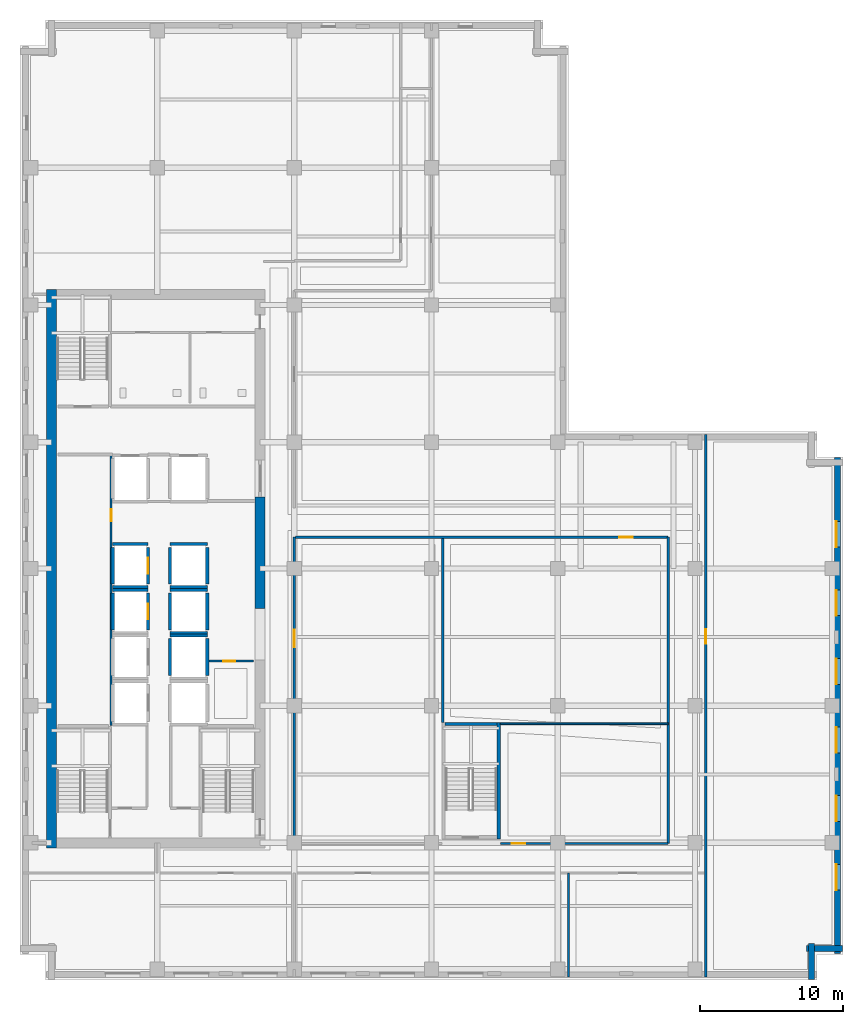
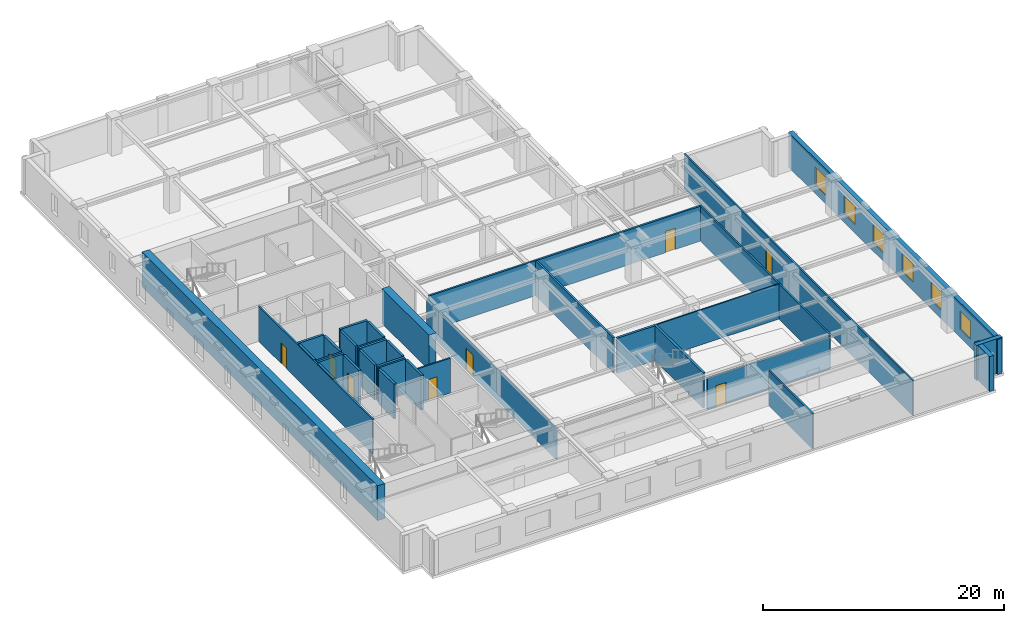
# One storey, part 5 of 12: 35 walls, 8 doors, 6 windows, 14 openings.
"""IFC4 building model written with IfcOpenShell, lengths in metres."""

from ifc_helpers import new_model, si_unit, direction, frame, frame_2d, origin, place, context, subcontext, project, spatial, rectangle, extrude, material, layer, layer_set, type_object, element, fill, save


model = new_model("IFC4")

# Units and contexts
model_context = context("Model", 3, precision=1e-05, world=origin(), true_north=direction((0.0, 1.0)))
body_context = subcontext(model_context, "Body", "Model", "MODEL_VIEW")
ifc_project = project(units=[si_unit("LENGTHUNIT", "METRE"), si_unit("AREAUNIT", "SQUARE_METRE"), si_unit("VOLUMEUNIT", "CUBIC_METRE"), si_unit("PLANEANGLEUNIT", "RADIAN"), si_unit("MASSUNIT", "GRAM", prefix="KILO")], contexts=[model_context])

# Site, building, storey
site_placement = place(None, origin())
site = spatial("IfcSite", under=ifc_project, at=site_placement, CompositionType="ELEMENT")
building_placement = place(site_placement, origin())
building = spatial("IfcBuilding", under=site, at=building_placement, Name="Norrvale University Quadrangle", CompositionType="ELEMENT")
storey_placement = place(building_placement, frame((0.0, 0.0, 109.0)))
storey = spatial("IfcBuildingStorey", under=building, at=storey_placement, Name="L27", CompositionType="ELEMENT", Elevation=109.0)

# Walls
ifc_material_1 = material(Name="Buff Norman Clay Brick Masonry", Category="masonry")
ifc_layer_1 = layer(ifc_material_1, 0.419921875, Name="Buff Norman Clay Brick Masonry")
ifc_layer_set_1 = layer_set([ifc_layer_1], Name="Buff Norman Clay Brick Masonry")
wall_type_1 = type_object("IfcWallType", Name="Wall Buff Brick 420", PredefinedType="SOLIDWALL", material=ifc_layer_set_1)
for number, where, z_axis, x_axis, name in (
    (1, (55.409912109375, 0.0400390625, 0.0), (0.0, 0.0, 1.0), (0.0, 1.0, 0.0), "Exterior Brick Facade Wall L27-02.1"),
    (2, (55.06005859375, 2.18994140625, 0.0), (0.0, 0.0, 1.0), (1.0, 0.0, 0.0), "Exterior Brick Facade Wall L27-03.1"),
):
    element("IfcWall", number, at=place(storey_placement, frame(where, z_axis=z_axis, x_axis=x_axis)), inside=storey, type_object=wall_type_1, Name=name, PredefinedType="SOLIDWALL", context=body_context, shape_type="SweptSolid", body=[
        extrude(rectangle(XDim=2.5, YDim=0.419921875, at=frame_2d((1.25, 0.0))), origin(), (0.0, 0.0, 1.0), 3.5400390625),
    ])

# Wall, openings, windows
wall_1_placement = place(storey_placement, frame((57.2099609375, 1.840087890625, 0.0), z_axis=(0.0, 0.0, 1.0), x_axis=(0.0, 1.0, 0.0)))
wall_1 = element("IfcWall", 3, at=wall_1_placement, inside=storey, type_object=wall_type_1, Name="Exterior Brick Facade Wall L27-04.1", PredefinedType="SOLIDWALL", context=body_context, shape_type="SweptSolid", body=[
    extrude(rectangle(XDim=34.719970703125, YDim=0.419921875, at=frame_2d((17.35986328125, 0.0))), origin(), (0.0, 0.0, 1.0), 3.5400390625),
])
opening_1_placement = place(wall_1_placement, frame((4.4599609375, 0.0, 0.85009765625)))
opening_1 = element("IfcOpeningElement", 4, at=opening_1_placement, cuts=wall_1, Name="Opening W01", PredefinedType="OPENING", context=body_context, shape_type="SweptSolid", body=[
    extrude(rectangle(XDim=1.800048828125, YDim=1.85009765625, at=frame_2d((0.89990234375, 0.925048828125))), frame((0.0, 0.221923828125, 0.0), z_axis=(0.0, -1.0, 0.0), x_axis=(1.0, 0.0, 0.0)), (0.0, 0.0, 1.0), 0.44384765625),
])
opening_2_placement = place(wall_1_placement, frame((9.260009765625, 0.0, 0.85009765625)))
opening_2 = element("IfcOpeningElement", 5, at=opening_2_placement, cuts=wall_1, Name="Opening W01", PredefinedType="OPENING", context=body_context, shape_type="SweptSolid", body=[
    extrude(rectangle(XDim=1.800048828125, YDim=1.85009765625, at=frame_2d((0.89990234375, 0.925048828125))), frame((0.0, 0.221923828125, 0.0), z_axis=(0.0, -1.0, 0.0), x_axis=(1.0, 0.0, 0.0)), (0.0, 0.0, 1.0), 0.44384765625),
])
opening_3_placement = place(wall_1_placement, frame((14.06005859375, 0.0, 0.85009765625)))
opening_3 = element("IfcOpeningElement", 6, at=opening_3_placement, cuts=wall_1, Name="Opening W01", PredefinedType="OPENING", context=body_context, shape_type="SweptSolid", body=[
    extrude(rectangle(XDim=1.800048828125, YDim=1.85009765625, at=frame_2d((0.89990234375, 0.925048828125))), frame((0.0, 0.221923828125, 0.0), z_axis=(0.0, -1.0, 0.0), x_axis=(1.0, 0.0, 0.0)), (0.0, 0.0, 1.0), 0.44384765625),
])
opening_4_placement = place(wall_1_placement, frame((18.860107421875, 0.0, 0.85009765625)))
opening_4 = element("IfcOpeningElement", 7, at=opening_4_placement, cuts=wall_1, Name="Opening W01", PredefinedType="OPENING", context=body_context, shape_type="SweptSolid", body=[
    extrude(rectangle(XDim=1.800048828125, YDim=1.85009765625, at=frame_2d((0.89990234375, 0.925048828125))), frame((0.0, 0.221923828125, 0.0), z_axis=(0.0, -1.0, 0.0), x_axis=(1.0, 0.0, 0.0)), (0.0, 0.0, 1.0), 0.44384765625),
])
opening_5_placement = place(wall_1_placement, frame((23.659912109375, 0.0, 0.85009765625)))
opening_5 = element("IfcOpeningElement", 8, at=opening_5_placement, cuts=wall_1, Name="Opening W01", PredefinedType="OPENING", context=body_context, shape_type="SweptSolid", body=[
    extrude(rectangle(XDim=1.800048828125, YDim=1.85009765625, at=frame_2d((0.89990234375, 0.925048828125))), frame((0.0, 0.221923828125, 0.0), z_axis=(0.0, -1.0, 0.0), x_axis=(1.0, 0.0, 0.0)), (0.0, 0.0, 1.0), 0.44384765625),
])
opening_6_placement = place(wall_1_placement, frame((28.4599609375, 0.0, 0.85009765625)))
opening_6 = element("IfcOpeningElement", 9, at=opening_6_placement, cuts=wall_1, Name="Opening W01", PredefinedType="OPENING", context=body_context, shape_type="SweptSolid", body=[
    extrude(rectangle(XDim=1.800048828125, YDim=1.85009765625, at=frame_2d((0.89990234375, 0.925048828125))), frame((0.0, 0.221923828125, 0.0), z_axis=(0.0, -1.0, 0.0), x_axis=(1.0, 0.0, 0.0)), (0.0, 0.0, 1.0), 0.44384765625),
])
ifc_material_2 = material(Name="Triple Low-E Argon Glazing", Category="glass")
window_type = type_object("IfcWindowType", Name="Window Academic 1800x2300", PartitioningType="DOUBLE_PANEL_VERTICAL", PredefinedType="WINDOW", material=ifc_material_2)
window_1_placement = place(opening_1_placement, origin())
window_1 = element("IfcWindow", 10, at=window_1_placement, inside=storey, type_object=window_type, Name="Window Academic 1800x2300 WIN-L27-E04-1-01", OverallHeight=1.85009765625, OverallWidth=1.800048828125, PartitioningType="DOUBLE_PANEL_VERTICAL", PredefinedType="WINDOW", context=body_context, shape_type="SweptSolid", body=[
    extrude(rectangle(XDim=1.800048828125, YDim=1.85009765625, at=frame_2d((0.89990234375, 0.925048828125))), frame((0.0, 0.110107421875, 0.0), z_axis=(0.0, -1.0, 0.0), x_axis=(1.0, 0.0, 0.0)), (0.0, 0.0, 1.0), 0.06005859375),
])
fill(opening_1, window_1)
window_2_placement = place(opening_2_placement, origin())
window_2 = element("IfcWindow", 11, at=window_2_placement, inside=storey, type_object=window_type, Name="Window Academic 1800x2300 WIN-L27-E04-1-02", OverallHeight=1.85009765625, OverallWidth=1.800048828125, PartitioningType="DOUBLE_PANEL_VERTICAL", PredefinedType="WINDOW", context=body_context, shape_type="SweptSolid", body=[
    extrude(rectangle(XDim=1.800048828125, YDim=1.85009765625, at=frame_2d((0.89990234375, 0.925048828125))), frame((0.0, 0.110107421875, 0.0), z_axis=(0.0, -1.0, 0.0), x_axis=(1.0, 0.0, 0.0)), (0.0, 0.0, 1.0), 0.06005859375),
])
fill(opening_2, window_2)
window_3_placement = place(opening_3_placement, origin())
window_3 = element("IfcWindow", 12, at=window_3_placement, inside=storey, type_object=window_type, Name="Window Academic 1800x2300 WIN-L27-E04-1-03", OverallHeight=1.85009765625, OverallWidth=1.800048828125, PartitioningType="DOUBLE_PANEL_VERTICAL", PredefinedType="WINDOW", context=body_context, shape_type="SweptSolid", body=[
    extrude(rectangle(XDim=1.800048828125, YDim=1.85009765625, at=frame_2d((0.89990234375, 0.925048828125))), frame((0.0, 0.110107421875, 0.0), z_axis=(0.0, -1.0, 0.0), x_axis=(1.0, 0.0, 0.0)), (0.0, 0.0, 1.0), 0.06005859375),
])
fill(opening_3, window_3)
window_4_placement = place(opening_4_placement, origin())
window_4 = element("IfcWindow", 13, at=window_4_placement, inside=storey, type_object=window_type, Name="Window Academic 1800x2300 WIN-L27-E04-1-04", OverallHeight=1.85009765625, OverallWidth=1.800048828125, PartitioningType="DOUBLE_PANEL_VERTICAL", PredefinedType="WINDOW", context=body_context, shape_type="SweptSolid", body=[
    extrude(rectangle(XDim=1.800048828125, YDim=1.85009765625, at=frame_2d((0.89990234375, 0.925048828125))), frame((0.0, 0.110107421875, 0.0), z_axis=(0.0, -1.0, 0.0), x_axis=(1.0, 0.0, 0.0)), (0.0, 0.0, 1.0), 0.06005859375),
])
fill(opening_4, window_4)
window_5_placement = place(opening_5_placement, origin())
window_5 = element("IfcWindow", 14, at=window_5_placement, inside=storey, type_object=window_type, Name="Window Academic 1800x2300 WIN-L27-E04-1-05", OverallHeight=1.85009765625, OverallWidth=1.800048828125, PartitioningType="DOUBLE_PANEL_VERTICAL", PredefinedType="WINDOW", context=body_context, shape_type="SweptSolid", body=[
    extrude(rectangle(XDim=1.800048828125, YDim=1.85009765625, at=frame_2d((0.89990234375, 0.925048828125))), frame((0.0, 0.110107421875, 0.0), z_axis=(0.0, -1.0, 0.0), x_axis=(1.0, 0.0, 0.0)), (0.0, 0.0, 1.0), 0.06005859375),
])
fill(opening_5, window_5)
window_6_placement = place(opening_6_placement, origin())
window_6 = element("IfcWindow", 15, at=window_6_placement, inside=storey, type_object=window_type, Name="Window Academic 1800x2300 WIN-L27-E04-1-06", OverallHeight=1.85009765625, OverallWidth=1.800048828125, PartitioningType="DOUBLE_PANEL_VERTICAL", PredefinedType="WINDOW", context=body_context, shape_type="SweptSolid", body=[
    extrude(rectangle(XDim=1.800048828125, YDim=1.85009765625, at=frame_2d((0.89990234375, 0.925048828125))), frame((0.0, 0.110107421875, 0.0), z_axis=(0.0, -1.0, 0.0), x_axis=(1.0, 0.0, 0.0)), (0.0, 0.0, 1.0), 0.06005859375),
])
fill(opening_6, window_6)

# Walls
ifc_material_3 = material(Name="Concrete C60/75", Category="concrete")
ifc_layer_2 = layer(ifc_material_3, 0.699951171875, Name="Concrete C60/75")
ifc_layer_set_2 = layer_set([ifc_layer_2], Name="Concrete C60/75")
wall_type_2 = type_object("IfcWallType", Name="Wall Core 700", PredefinedType="SHEAR", material=ifc_layer_set_2)
wall_2_placement = place(storey_placement, frame((2.199951171875, 9.25, 0.0), z_axis=(0.0, 0.0, 1.0), x_axis=(0.0, 1.0, 0.0)))
element("IfcWall", 16, at=wall_2_placement, inside=storey, type_object=wall_type_2, Name="Tower Core Shear Wall L27-W", PredefinedType="SHEAR", context=body_context, shape_type="SweptSolid", body=[
    extrude(rectangle(XDim=39.10009765625, YDim=0.699951171875, at=frame_2d((19.550048828125, 0.0))), origin(), (0.0, 0.0, 1.0), 3.5400390625),
])
wall_3_placement = place(storey_placement, frame((16.800048828125, 26.0, 0.0), z_axis=(0.0, 0.0, 1.0), x_axis=(0.0, 1.0, 0.0)))
element("IfcWall", 17, at=wall_3_placement, inside=storey, type_object=wall_type_2, Name="Tower Core Shear Wall L27-E2", PredefinedType="SHEAR", context=body_context, shape_type="SweptSolid", body=[
    extrude(rectangle(XDim=7.800048828125, YDim=0.699951171875, at=frame_2d((3.89990234375, 0.0))), origin(), (0.0, 0.0, 1.0), 3.5400390625),
])
ifc_material_4 = material(Name="Standard Academic Gypsum Partition")
ifc_layer_3 = layer(ifc_material_4, 0.125, Name="Standard Academic Gypsum Partition")
ifc_layer_set_3 = layer_set([ifc_layer_3], Name="Standard Academic Gypsum Partition")
wall_type_3 = type_object("IfcWallType", Name="Wall Gypsum Academic 125", PredefinedType="PARTITIONING", material=ifc_layer_set_3)
wall_4_placement = place(storey_placement, frame((33.6201171875, 17.93994140625, 0.0), z_axis=(0.0, 0.0, 1.0), x_axis=(1.0, 0.0, 0.0)))
element("IfcWall", 18, at=wall_4_placement, inside=storey, type_object=wall_type_3, Name="Interior Partition WL-L27-ISLH", PredefinedType="PARTITIONING", context=body_context, shape_type="SweptSolid", body=[
    extrude(rectangle(XDim=11.7548828125, YDim=0.125, at=frame_2d((5.87744140625, 0.0))), origin(), (0.0, 0.0, 1.0), 3.5400390625),
])

# Wall, opening, door
ifc_material_5 = material(Name="Fire-Rated Gypsum Stud Partition")
ifc_layer_4 = layer(ifc_material_5, 0.14990234375, Name="Fire-Rated Gypsum Stud Partition")
ifc_layer_set_4 = layer_set([ifc_layer_4], Name="Fire-Rated Gypsum Stud Partition")
wall_type_4 = type_object("IfcWallType", Name="Wall Gypsum Corridor 150", PredefinedType="PARTITIONING", material=ifc_layer_set_4)
wall_5_placement = place(storey_placement, frame((13.22509765625, 22.320068359375, 0.0), z_axis=(0.0, 0.0, 1.0), x_axis=(1.0, 0.0, 0.0)))
wall_5 = element("IfcWall", 19, at=wall_5_placement, inside=storey, type_object=wall_type_4, Name="Interior Partition WL-L27-JAN-N", PredefinedType="PARTITIONING", context=body_context, shape_type="SweptSolid", body=[
    extrude(rectangle(XDim=3.119873046875, YDim=0.14990234375, at=frame_2d((1.56005859375, 0.0))), origin(), (0.0, 0.0, 1.0), 3.5400390625),
])
opening_7_placement = place(wall_5_placement, frame((1.0, 0.0, 0.0)))
opening_7 = element("IfcOpeningElement", 20, at=opening_7_placement, cuts=wall_5, Name="Opening D10", PredefinedType="OPENING", context=body_context, shape_type="SweptSolid", body=[
    extrude(rectangle(XDim=0.85009765625, YDim=2.10009765625, at=frame_2d((0.425048828125, 1.050048828125))), frame((0.0, 0.0869140625, 0.0), z_axis=(0.0, -1.0, 0.0), x_axis=(1.0, 0.0, 0.0)), (0.0, 0.0, 1.0), 0.173828125),
])
ifc_material_6 = material(Name="Hollow Steel 350W Riser Fire Door", Category="steel")
door_type_1 = type_object("IfcDoorType", Name="Door Riser 850x2100", OperationType="NOTDEFINED", PredefinedType="DOOR", material=ifc_material_6)
door_1_placement = place(opening_7_placement, origin())
door_1 = element("IfcDoor", 21, at=door_1_placement, inside=storey, type_object=door_type_1, Name="Door Riser 850x2100 DR-L27-JAN", OperationType="SINGLE_SWING_LEFT", OverallHeight=2.10009765625, OverallWidth=0.85009765625, PredefinedType="DOOR", context=body_context, shape_type="SweptSolid", body=[
    extrude(rectangle(XDim=0.85009765625, YDim=2.10009765625, at=frame_2d((0.425048828125, 1.050048828125))), frame((0.0, 0.02490234375, 0.0), z_axis=(0.0, -1.0, 0.0), x_axis=(1.0, 0.0, 0.0)), (0.0, 0.0, 1.0), 0.050048828125),
])
fill(opening_7, door_1)

wall_6_placement = place(storey_placement, frame((6.3798828125, 17.800048828125, 0.0), z_axis=(0.0, 0.0, 1.0), x_axis=(0.0, 1.0, 0.0)))
wall_6 = element("IfcWall", 22, at=wall_6_placement, inside=storey, type_object=wall_type_4, Name="Interior Partition WL-L27-WME-E", PredefinedType="PARTITIONING", context=body_context, shape_type="SweptSolid", body=[
    extrude(rectangle(XDim=18.97998046875, YDim=0.14990234375, at=frame_2d((9.489990234375, 0.0))), origin(), (0.0, 0.0, 1.0), 3.5400390625),
])
opening_8_placement = place(wall_6_placement, frame((14.300048828125, 0.0, 0.0)))
opening_8 = element("IfcOpeningElement", 23, at=opening_8_placement, cuts=wall_6, Name="Opening D10", PredefinedType="OPENING", context=body_context, shape_type="SweptSolid", body=[
    extrude(rectangle(XDim=0.85009765625, YDim=2.10009765625, at=frame_2d((0.425048828125, 1.050048828125))), frame((0.0, 0.0869140625, 0.0), z_axis=(0.0, -1.0, 0.0), x_axis=(1.0, 0.0, 0.0)), (0.0, 0.0, 1.0), 0.173828125),
])
door_2_placement = place(opening_8_placement, origin())
door_2 = element("IfcDoor", 24, at=door_2_placement, inside=storey, type_object=door_type_1, Name="Door Riser 850x2100 DR-L27-WME", OperationType="SINGLE_SWING_LEFT", OverallHeight=2.10009765625, OverallWidth=0.85009765625, PredefinedType="DOOR", context=body_context, shape_type="SweptSolid", body=[
    extrude(rectangle(XDim=0.85009765625, YDim=2.10009765625, at=frame_2d((0.425048828125, 1.050048828125))), frame((0.0, 0.02490234375, 0.0), z_axis=(0.0, -1.0, 0.0), x_axis=(1.0, 0.0, 0.0)), (0.0, 0.0, 1.0), 0.050048828125),
])
fill(opening_8, door_2)

wall_7_placement = place(storey_placement, frame((48.0, 0.219970703125, 0.0), z_axis=(0.0, 0.0, 1.0), x_axis=(0.0, 1.0, 0.0)))
wall_7 = element("IfcWall", 25, at=wall_7_placement, inside=storey, type_object=wall_type_4, Name="Interior Partition WL-L27-ECW", PredefinedType="PARTITIONING", context=body_context, shape_type="SweptSolid", body=[
    extrude(rectangle(XDim=37.9599609375, YDim=0.14990234375, at=frame_2d((18.97998046875, 0.0))), origin(), (0.0, 0.0, 1.0), 3.5400390625),
])
opening_9_placement = place(wall_7_placement, frame((23.330078125, 0.0, 0.0)))
opening_9 = element("IfcOpeningElement", 26, at=opening_9_placement, cuts=wall_7, Name="Opening D04", PredefinedType="OPENING", context=body_context, shape_type="SweptSolid", body=[
    extrude(rectangle(XDim=1.0, YDim=2.199951171875, at=frame_2d((0.5, 1.10009765625))), frame((0.0, 0.0869140625, 0.0), z_axis=(0.0, -1.0, 0.0), x_axis=(1.0, 0.0, 0.0)), (0.0, 0.0, 1.0), 0.173828125),
])
ifc_material_7 = material(Name="Solid-Core Oak Fire Door", Category="wood")
door_type_2 = type_object("IfcDoorType", Name="Door Corridor 1000x2200", OperationType="NOTDEFINED", PredefinedType="DOOR", material=ifc_material_7)
door_3_placement = place(opening_9_placement, origin())
door_3 = element("IfcDoor", 27, at=door_3_placement, inside=storey, type_object=door_type_2, Name="Door Corridor 1000x2200 DR-L27-E01", OperationType="SINGLE_SWING_RIGHT", OverallHeight=2.199951171875, OverallWidth=1.0, PredefinedType="DOOR", context=body_context, shape_type="SweptSolid", body=[
    extrude(rectangle(XDim=1.0, YDim=2.199951171875, at=frame_2d((0.5, 1.10009765625))), frame((0.0, 0.02490234375, 0.0), z_axis=(0.0, -1.0, 0.0), x_axis=(1.0, 0.0, 0.0)), (0.0, 0.0, 1.0), 0.050048828125),
])
fill(opening_9, door_3)

wall_8_placement = place(storey_placement, frame((19.199951171875, 9.550048828125, 0.0), z_axis=(0.0, 0.0, 1.0), x_axis=(0.0, 1.0, 0.0)))
wall_8 = element("IfcWall", 28, at=wall_8_placement, inside=storey, type_object=wall_type_4, Name="Interior Partition WL-L27-ISLW", PredefinedType="PARTITIONING", context=body_context, shape_type="SweptSolid", body=[
    extrude(rectangle(XDim=21.449951171875, YDim=0.14990234375, at=frame_2d((10.72509765625, 0.0))), origin(), (0.0, 0.0, 1.0), 3.18408203125),
])
opening_10_placement = place(wall_8_placement, frame((13.75, 0.0, 0.0)))
opening_10 = element("IfcOpeningElement", 29, at=opening_10_placement, cuts=wall_8, Name="Opening D05", PredefinedType="OPENING", context=body_context, shape_type="SweptSolid", body=[
    extrude(rectangle(XDim=1.199951171875, YDim=2.199951171875, at=frame_2d((0.60009765625, 1.10009765625))), frame((0.0, 0.0869140625, 0.0), z_axis=(0.0, -1.0, 0.0), x_axis=(1.0, 0.0, 0.0)), (0.0, 0.0, 1.0), 0.173828125),
])
ifc_material_8 = material(Name="Acoustic Oak Classroom Door", Category="wood")
door_type_3 = type_object("IfcDoorType", Name="Door Classroom 1200x2200", OperationType="NOTDEFINED", PredefinedType="DOOR", material=ifc_material_8)
door_4_placement = place(opening_10_placement, origin())
door_4 = element("IfcDoor", 30, at=door_4_placement, inside=storey, type_object=door_type_3, Name="Door Classroom 1200x2200 DR-L27-IW1", OperationType="SINGLE_SWING_LEFT", OverallHeight=2.199951171875, OverallWidth=1.199951171875, PredefinedType="DOOR", context=body_context, shape_type="SweptSolid", body=[
    extrude(rectangle(XDim=1.199951171875, YDim=2.199951171875, at=frame_2d((0.60009765625, 1.10009765625))), frame((0.0, 0.02490234375, 0.0), z_axis=(0.0, -1.0, 0.0), x_axis=(1.0, 0.0, 0.0)), (0.0, 0.0, 1.0), 0.050048828125),
])
fill(opening_10, door_4)

wall_9_placement = place(storey_placement, frame((33.6201171875, 9.550048828125, 0.0), z_axis=(0.0, 0.0, 1.0), x_axis=(1.0, 0.0, 0.0)))
wall_9 = element("IfcWall", 31, at=wall_9_placement, inside=storey, type_object=wall_type_4, Name="Interior Partition WL-L27-ISLS2", PredefinedType="PARTITIONING", context=body_context, shape_type="SweptSolid", body=[
    extrude(rectangle(XDim=11.7548828125, YDim=0.14990234375, at=frame_2d((5.87744140625, 0.0))), origin(), (0.0, 0.0, 1.0), 3.18408203125),
])
opening_11_placement = place(wall_9_placement, frame((0.800048828125, 0.0, 0.0)))
opening_11 = element("IfcOpeningElement", 32, at=opening_11_placement, cuts=wall_9, Name="Opening D07", PredefinedType="OPENING", context=body_context, shape_type="SweptSolid", body=[
    extrude(rectangle(XDim=0.949951171875, YDim=2.14990234375, at=frame_2d((0.47509765625, 1.074951171875))), frame((0.0, 0.0869140625, 0.0), z_axis=(0.0, -1.0, 0.0), x_axis=(1.0, 0.0, 0.0)), (0.0, 0.0, 1.0), 0.173828125),
])
ifc_material_9 = material(Name="Solid-Core Maple Door", Category="wood")
door_type_4 = type_object("IfcDoorType", Name="Door Office 950x2150", OperationType="NOTDEFINED", PredefinedType="DOOR", material=ifc_material_9)
door_5_placement = place(opening_11_placement, origin())
door_5 = element("IfcDoor", 33, at=door_5_placement, inside=storey, type_object=door_type_4, Name="Door Office 950x2150 DR-L27-ISE", OperationType="SINGLE_SWING_LEFT", OverallHeight=2.14990234375, OverallWidth=0.949951171875, PredefinedType="DOOR", context=body_context, shape_type="SweptSolid", body=[
    extrude(rectangle(XDim=0.949951171875, YDim=2.14990234375, at=frame_2d((0.47509765625, 1.074951171875))), frame((0.0, 0.02490234375, 0.0), z_axis=(0.0, -1.0, 0.0), x_axis=(1.0, 0.0, 0.0)), (0.0, 0.0, 1.0), 0.050048828125),
])
fill(opening_11, door_5)

# Walls
wall_10_placement = place(storey_placement, frame((45.375, 9.550048828125, 0.0), z_axis=(0.0, 0.0, 1.0), x_axis=(0.0, 1.0, 0.0)))
element("IfcWall", 34, at=wall_10_placement, inside=storey, type_object=wall_type_4, Name="Interior Partition WL-L27-ISLE", PredefinedType="PARTITIONING", context=body_context, shape_type="SweptSolid", body=[
    extrude(rectangle(XDim=21.449951171875, YDim=0.14990234375, at=frame_2d((10.72509765625, 0.0))), origin(), (0.0, 0.0, 1.0), 3.5400390625),
])
ifc_material_10 = material(Name="Acoustic Double-Stud Gypsum Partition")
ifc_layer_5 = layer(ifc_material_10, 0.179931640625, Name="Acoustic Double-Stud Gypsum Partition")
ifc_layer_set_5 = layer_set([ifc_layer_5], Name="Acoustic Double-Stud Gypsum Partition")
wall_type_5 = type_object("IfcWallType", Name="Wall Gypsum Lecture 180", PredefinedType="PARTITIONING", material=ifc_layer_set_5)
wall_11_placement = place(storey_placement, frame((29.580078125, 18.02490234375, 0.0), z_axis=(0.0, 0.0, 1.0), x_axis=(0.0, 1.0, 0.0)))
element("IfcWall", 35, at=wall_11_placement, inside=storey, type_object=wall_type_5, Name="Interior Partition WL-L27-ISLD", PredefinedType="PARTITIONING", context=body_context, shape_type="SweptSolid", body=[
    extrude(rectangle(XDim=12.880126953125, YDim=0.179931640625, at=frame_2d((6.43994140625, 0.0))), origin(), (0.0, 0.0, 1.0), 3.5400390625),
])

# Wall, opening, door
wall_12_placement = place(storey_placement, frame((19.280029296875, 31.0, 0.0), z_axis=(0.0, 0.0, 1.0), x_axis=(1.0, 0.0, 0.0)))
wall_12 = element("IfcWall", 36, at=wall_12_placement, inside=storey, type_object=wall_type_5, Name="Interior Partition WL-L27-ISLN", PredefinedType="PARTITIONING", context=body_context, shape_type="SweptSolid", body=[
    extrude(rectangle(XDim=26.094970703125, YDim=0.179931640625, at=frame_2d((13.04736328125, 0.0))), origin(), (0.0, 0.0, 1.0), 3.5400390625),
])
opening_12_placement = place(wall_12_placement, frame((22.669921875, 0.0, 0.0)))
opening_12 = element("IfcOpeningElement", 37, at=opening_12_placement, cuts=wall_12, Name="Opening D07", PredefinedType="OPENING", context=body_context, shape_type="SweptSolid", body=[
    extrude(rectangle(XDim=0.949951171875, YDim=2.14990234375, at=frame_2d((0.47509765625, 1.074951171875))), frame((0.0, 0.10205078125, 0.0), z_axis=(0.0, -1.0, 0.0), x_axis=(1.0, 0.0, 0.0)), (0.0, 0.0, 1.0), 0.203857421875),
])
door_6_placement = place(opening_12_placement, origin())
door_6 = element("IfcDoor", 38, at=door_6_placement, inside=storey, type_object=door_type_4, Name="Door Office 950x2150 DR-L27-ILH", OperationType="SINGLE_SWING_RIGHT", OverallHeight=2.14990234375, OverallWidth=0.949951171875, PredefinedType="DOOR", context=body_context, shape_type="SweptSolid", body=[
    extrude(rectangle(XDim=0.949951171875, YDim=2.14990234375, at=frame_2d((0.47509765625, 1.074951171875))), frame((0.0, 0.02490234375, 0.0), z_axis=(0.0, -1.0, 0.0), x_axis=(1.0, 0.0, 0.0)), (0.0, 0.0, 1.0), 0.050048828125),
])
fill(opening_12, door_6)

# Walls
ifc_material_11 = material(Name="Sanitary Chase Gypsum Partition")
ifc_layer_6 = layer(ifc_material_11, 0.1650390625, Name="Sanitary Chase Gypsum Partition")
ifc_layer_set_6 = layer_set([ifc_layer_6], Name="Sanitary Chase Gypsum Partition")
wall_type_6 = type_object("IfcWallType", Name="Wall Gypsum Sanitary 165", PredefinedType="PLUMBINGWALL", material=ifc_layer_set_6)
wall_13_placement = place(storey_placement, frame((38.39990234375, 0.219970703125, 0.0), z_axis=(0.0, 0.0, 1.0), x_axis=(0.0, 1.0, 0.0)))
element("IfcWall", 39, at=wall_13_placement, inside=storey, type_object=wall_type_6, Name="Interior Partition WL-L27-SP02", PredefinedType="PLUMBINGWALL", context=body_context, shape_type="SweptSolid", body=[
    extrude(rectangle(XDim=7.280029296875, YDim=0.1650390625, at=frame_2d((3.64013671875, 0.0))), origin(), (0.0, 0.0, 1.0), 3.5400390625),
])
ifc_material_12 = material(Name="Concrete Blockwork 20 MPa Fire Shaft", Category="masonry")
ifc_layer_7 = layer(ifc_material_12, 0.219970703125, Name="Concrete Blockwork 20 MPa Fire Shaft")
ifc_layer_set_7 = layer_set([ifc_layer_7], Name="Concrete Blockwork 20 MPa Fire Shaft")
wall_type_7 = type_object("IfcWallType", Name="Wall Shaft 220", PredefinedType="SOLIDWALL", material=ifc_layer_set_7)
wall_14_placement = place(storey_placement, frame((33.510009765625, 9.8798828125, 0.0), z_axis=(0.0, 0.0, 1.0), x_axis=(0.0, 1.0, 0.0)))
element("IfcWall", 40, at=wall_14_placement, inside=storey, type_object=wall_type_7, Name="Stair ST-04 East Shaft Wall L27", PredefinedType="SOLIDWALL", context=body_context, shape_type="SweptSolid", body=[
    extrude(rectangle(XDim=8.14013671875, YDim=0.219970703125, at=frame_2d((4.070068359375, 0.0))), origin(), (0.0, 0.0, 1.0), 3.5400390625),
])
wall_15_placement = place(storey_placement, frame((29.75, 17.909912109375, 0.0), z_axis=(0.0, 0.0, 1.0), x_axis=(1.0, 0.0, 0.0)))
element("IfcWall", 41, at=wall_15_placement, inside=storey, type_object=wall_type_7, Name="Stair ST-04 North Shaft Wall L27", PredefinedType="SOLIDWALL", context=body_context, shape_type="SweptSolid", body=[
    extrude(rectangle(XDim=3.64990234375, YDim=0.219970703125, at=frame_2d((1.824951171875, 0.0))), origin(), (0.0, 0.0, 1.0), 3.5400390625),
])
wall_16_placement = place(storey_placement, frame((6.489990234375, 24.510009765625, 0.0), z_axis=(0.0, 0.0, 1.0), x_axis=(0.0, 1.0, 0.0)))
element("IfcWall", 42, at=wall_16_placement, inside=storey, type_object=wall_type_7, Name="Hoistway PL-03 West Wall L27", PredefinedType="SOLIDWALL", context=body_context, shape_type="SweptSolid", body=[
    extrude(rectangle(XDim=2.580078125, YDim=0.219970703125, at=frame_2d((1.2900390625, 0.0))), origin(), (0.0, 0.0, 1.0), 3.5400390625),
])

# Wall, opening, door
wall_17_placement = place(storey_placement, frame((8.9599609375, 24.510009765625, 0.0), z_axis=(0.0, 0.0, 1.0), x_axis=(0.0, 1.0, 0.0)))
wall_17 = element("IfcWall", 43, at=wall_17_placement, inside=storey, type_object=wall_type_7, Name="Hoistway PL-03 East Wall L27", PredefinedType="SOLIDWALL", context=body_context, shape_type="SweptSolid", body=[
    extrude(rectangle(XDim=2.580078125, YDim=0.219970703125, at=frame_2d((1.2900390625, 0.0))), origin(), (0.0, 0.0, 1.0), 3.5400390625),
])
opening_13_placement = place(wall_17_placement, frame((0.739990234375, 0.0, 0.0)))
opening_13 = element("IfcOpeningElement", 44, at=opening_13_placement, cuts=wall_17, Name="Opening LD1", PredefinedType="OPENING", context=body_context, shape_type="SweptSolid", body=[
    extrude(rectangle(XDim=1.10009765625, YDim=2.199951171875, at=frame_2d((0.550048828125, 1.10009765625))), frame((0.0, 0.1220703125, 0.0), z_axis=(0.0, -1.0, 0.0), x_axis=(1.0, 0.0, 0.0)), (0.0, 0.0, 1.0), 0.243896484375),
])
ifc_material_13 = material(Name="Stainless Steel 316L Lift Landing Door", Category="steel")
door_type_5 = type_object("IfcDoorType", Name="Door Lift Landing 1100x2200", OperationType="DOUBLE_DOOR_SLIDING", PredefinedType="DOOR", material=ifc_material_13)
door_7_placement = place(opening_13_placement, origin())
door_7 = element("IfcDoor", 45, at=door_7_placement, inside=storey, type_object=door_type_5, Name="Elevator Landing Door DR-L27-PL-03", OperationType="DOUBLE_DOOR_SLIDING", OverallHeight=2.199951171875, OverallWidth=1.10009765625, PredefinedType="DOOR", context=body_context, shape_type="SweptSolid", body=[
    extrude(rectangle(XDim=1.10009765625, YDim=2.199951171875, at=frame_2d((0.550048828125, 1.10009765625))), frame((0.0, 0.02490234375, 0.0), z_axis=(0.0, -1.0, 0.0), x_axis=(1.0, 0.0, 0.0)), (0.0, 0.0, 1.0), 0.050048828125),
])
fill(opening_13, door_7)

# Walls
wall_18_placement = place(storey_placement, frame((6.489990234375, 27.31005859375, 0.0), z_axis=(0.0, 0.0, 1.0), x_axis=(1.0, 0.0, 0.0)))
element("IfcWall", 46, at=wall_18_placement, inside=storey, type_object=wall_type_7, Name="Hoistway PL-03 North Wall L27", PredefinedType="SOLIDWALL", context=body_context, shape_type="SweptSolid", body=[
    extrude(rectangle(XDim=2.469970703125, YDim=0.219970703125, at=frame_2d((1.23486328125, 0.0))), origin(), (0.0, 0.0, 1.0), 3.5400390625),
])
wall_19_placement = place(storey_placement, frame((6.489990234375, 27.7099609375, 0.0), z_axis=(0.0, 0.0, 1.0), x_axis=(0.0, 1.0, 0.0)))
element("IfcWall", 47, at=wall_19_placement, inside=storey, type_object=wall_type_7, Name="Hoistway PL-04 West Wall L27", PredefinedType="SOLIDWALL", context=body_context, shape_type="SweptSolid", body=[
    extrude(rectangle(XDim=2.580078125, YDim=0.219970703125, at=frame_2d((1.2900390625, 0.0))), origin(), (0.0, 0.0, 1.0), 3.5400390625),
])

# Wall, opening, door
wall_20_placement = place(storey_placement, frame((8.9599609375, 27.7099609375, 0.0), z_axis=(0.0, 0.0, 1.0), x_axis=(0.0, 1.0, 0.0)))
wall_20 = element("IfcWall", 48, at=wall_20_placement, inside=storey, type_object=wall_type_7, Name="Hoistway PL-04 East Wall L27", PredefinedType="SOLIDWALL", context=body_context, shape_type="SweptSolid", body=[
    extrude(rectangle(XDim=2.580078125, YDim=0.219970703125, at=frame_2d((1.2900390625, 0.0))), origin(), (0.0, 0.0, 1.0), 3.5400390625),
])
opening_14_placement = place(wall_20_placement, frame((0.739990234375, 0.0, 0.0)))
opening_14 = element("IfcOpeningElement", 49, at=opening_14_placement, cuts=wall_20, Name="Opening LD1", PredefinedType="OPENING", context=body_context, shape_type="SweptSolid", body=[
    extrude(rectangle(XDim=1.10009765625, YDim=2.199951171875, at=frame_2d((0.550048828125, 1.10009765625))), frame((0.0, 0.1220703125, 0.0), z_axis=(0.0, -1.0, 0.0), x_axis=(1.0, 0.0, 0.0)), (0.0, 0.0, 1.0), 0.243896484375),
])
door_8_placement = place(opening_14_placement, origin())
door_8 = element("IfcDoor", 50, at=door_8_placement, inside=storey, type_object=door_type_5, Name="Elevator Landing Door DR-L27-PL-04", OperationType="DOUBLE_DOOR_SLIDING", OverallHeight=2.199951171875, OverallWidth=1.10009765625, PredefinedType="DOOR", context=body_context, shape_type="SweptSolid", body=[
    extrude(rectangle(XDim=1.10009765625, YDim=2.199951171875, at=frame_2d((0.550048828125, 1.10009765625))), frame((0.0, 0.02490234375, 0.0), z_axis=(0.0, -1.0, 0.0), x_axis=(1.0, 0.0, 0.0)), (0.0, 0.0, 1.0), 0.050048828125),
])
fill(opening_14, door_8)

# Walls
for number, where, z_axis, x_axis, name in (
    (51, (6.489990234375, 27.489990234375, 0.0), (0.0, 0.0, 1.0), (1.0, 0.0, 0.0), "Hoistway PL-04 South Wall L27"),
    (52, (6.489990234375, 30.510009765625, 0.0), (0.0, 0.0, 1.0), (1.0, 0.0, 0.0), "Hoistway PL-04 North Wall L27"),
):
    element("IfcWall", number, at=place(storey_placement, frame(where, z_axis=z_axis, x_axis=x_axis)), inside=storey, type_object=wall_type_7, Name=name, PredefinedType="SOLIDWALL", context=body_context, shape_type="SweptSolid", body=[
        extrude(rectangle(XDim=2.469970703125, YDim=0.219970703125, at=frame_2d((1.23486328125, 0.0))), origin(), (0.0, 0.0, 1.0), 3.5400390625),
    ])
for number, where, z_axis, x_axis, name in (
    (53, (10.489990234375, 21.31005859375, 0.0), (0.0, 0.0, 1.0), (0.0, 1.0, 0.0), "Hoistway PL-06 West Wall L27"),
    (54, (13.110107421875, 21.31005859375, 0.0), (0.0, 0.0, 1.0), (0.0, 1.0, 0.0), "Hoistway PL-06 East Wall L27"),
):
    element("IfcWall", number, at=place(storey_placement, frame(where, z_axis=z_axis, x_axis=x_axis)), inside=storey, type_object=wall_type_7, Name=name, PredefinedType="SOLIDWALL", context=body_context, shape_type="SweptSolid", body=[
        extrude(rectangle(XDim=2.579833984375, YDim=0.219970703125, at=frame_2d((1.2900390625, 0.0))), origin(), (0.0, 0.0, 1.0), 3.5400390625),
    ])
wall_21_placement = place(storey_placement, frame((10.489990234375, 24.110107421875, 0.0), z_axis=(0.0, 0.0, 1.0), x_axis=(1.0, 0.0, 0.0)))
element("IfcWall", 55, at=wall_21_placement, inside=storey, type_object=wall_type_7, Name="Hoistway PL-06 North Wall L27", PredefinedType="SOLIDWALL", context=body_context, shape_type="SweptSolid", body=[
    extrude(rectangle(XDim=2.6201171875, YDim=0.219970703125, at=frame_2d((1.31005859375, 0.0))), origin(), (0.0, 0.0, 1.0), 3.5400390625),
])
for number, where, z_axis, x_axis, name in (
    (56, (10.489990234375, 24.510009765625, 0.0), (0.0, 0.0, 1.0), (0.0, 1.0, 0.0), "Hoistway PL-07 West Wall L27"),
    (57, (13.110107421875, 24.510009765625, 0.0), (0.0, 0.0, 1.0), (0.0, 1.0, 0.0), "Hoistway PL-07 East Wall L27"),
):
    element("IfcWall", number, at=place(storey_placement, frame(where, z_axis=z_axis, x_axis=x_axis)), inside=storey, type_object=wall_type_7, Name=name, PredefinedType="SOLIDWALL", context=body_context, shape_type="SweptSolid", body=[
        extrude(rectangle(XDim=2.580078125, YDim=0.219970703125, at=frame_2d((1.2900390625, 0.0))), origin(), (0.0, 0.0, 1.0), 3.5400390625),
    ])
for number, where, z_axis, x_axis, name in (
    (58, (10.489990234375, 24.2900390625, 0.0), (0.0, 0.0, 1.0), (1.0, 0.0, 0.0), "Hoistway PL-07 South Wall L27"),
    (59, (10.489990234375, 27.31005859375, 0.0), (0.0, 0.0, 1.0), (1.0, 0.0, 0.0), "Hoistway PL-07 North Wall L27"),
):
    element("IfcWall", number, at=place(storey_placement, frame(where, z_axis=z_axis, x_axis=x_axis)), inside=storey, type_object=wall_type_7, Name=name, PredefinedType="SOLIDWALL", context=body_context, shape_type="SweptSolid", body=[
        extrude(rectangle(XDim=2.6201171875, YDim=0.219970703125, at=frame_2d((1.31005859375, 0.0))), origin(), (0.0, 0.0, 1.0), 3.5400390625),
    ])
for number, where, z_axis, x_axis, name in (
    (60, (10.489990234375, 27.7099609375, 0.0), (0.0, 0.0, 1.0), (0.0, 1.0, 0.0), "Hoistway PL-08 West Wall L27"),
    (61, (13.110107421875, 27.7099609375, 0.0), (0.0, 0.0, 1.0), (0.0, 1.0, 0.0), "Hoistway PL-08 East Wall L27"),
):
    element("IfcWall", number, at=place(storey_placement, frame(where, z_axis=z_axis, x_axis=x_axis)), inside=storey, type_object=wall_type_7, Name=name, PredefinedType="SOLIDWALL", context=body_context, shape_type="SweptSolid", body=[
        extrude(rectangle(XDim=2.580078125, YDim=0.219970703125, at=frame_2d((1.2900390625, 0.0))), origin(), (0.0, 0.0, 1.0), 3.5400390625),
    ])
for number, where, z_axis, x_axis, name in (
    (62, (10.489990234375, 27.489990234375, 0.0), (0.0, 0.0, 1.0), (1.0, 0.0, 0.0), "Hoistway PL-08 South Wall L27"),
    (63, (10.489990234375, 30.510009765625, 0.0), (0.0, 0.0, 1.0), (1.0, 0.0, 0.0), "Hoistway PL-08 North Wall L27"),
):
    element("IfcWall", number, at=place(storey_placement, frame(where, z_axis=z_axis, x_axis=x_axis)), inside=storey, type_object=wall_type_7, Name=name, PredefinedType="SOLIDWALL", context=body_context, shape_type="SweptSolid", body=[
        extrude(rectangle(XDim=2.6201171875, YDim=0.219970703125, at=frame_2d((1.31005859375, 0.0))), origin(), (0.0, 0.0, 1.0), 3.5400390625),
    ])

save(model, "model.ifc")
